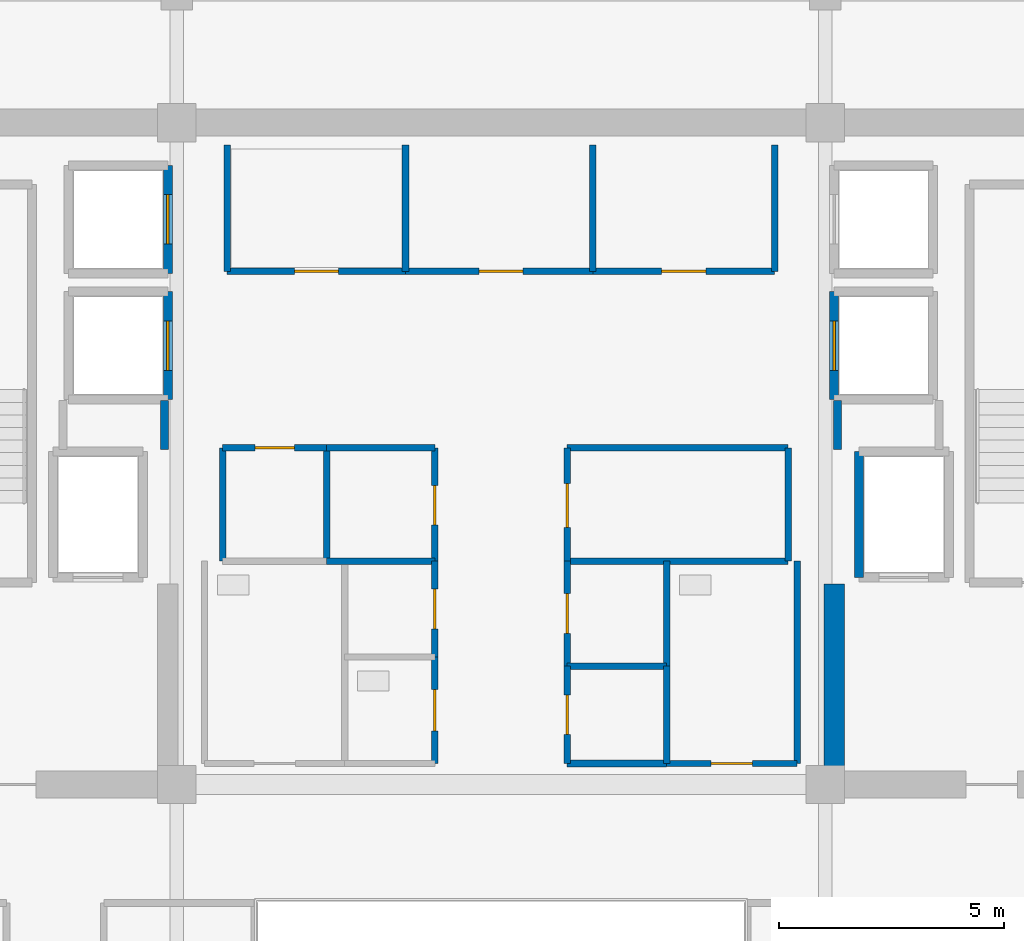
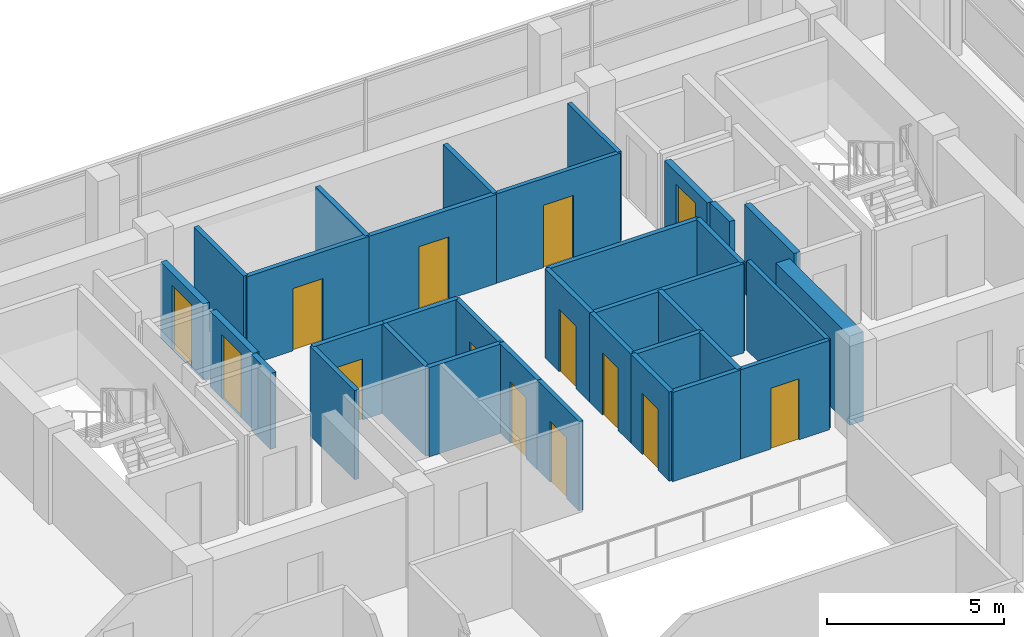
# One storey, part 17 of 22: 34 walls, 14 doors, 14 openings.
"""IFC4 building model written with IfcOpenShell, lengths in metres."""

from ifc_helpers import new_model, si_unit, direction, frame, frame_2d, origin, place, context, subcontext, project, spatial, rectangle, extrude, source, transform, mapped, material, layer, layer_set, type_object, element, fill, save


model = new_model("IFC4")

# Units and contexts
model_context = context("Model", 3, precision=1e-05, world=origin(), true_north=direction((0.0, 1.0)))
body_context = subcontext(model_context, "Body", "Model", "MODEL_VIEW")
ifc_project = project(units=[si_unit("LENGTHUNIT", "METRE"), si_unit("AREAUNIT", "SQUARE_METRE"), si_unit("VOLUMEUNIT", "CUBIC_METRE"), si_unit("PLANEANGLEUNIT", "RADIAN"), si_unit("MASSUNIT", "GRAM", prefix="KILO")], contexts=[model_context])

# Site, building, storey
site_placement = place(None, origin())
site = spatial("IfcSite", under=ifc_project, at=site_placement, CompositionType="ELEMENT")
building_placement = place(site_placement, origin())
building = spatial("IfcBuilding", under=site, at=building_placement, Name="Zarnakvel Exchange Tower", CompositionType="ELEMENT")
storey_placement = place(building_placement, frame((0.0, 0.0, 225.39990234375)))
storey = spatial("IfcBuildingStorey", under=building, at=storey_placement, Name="L63", CompositionType="ELEMENT", Elevation=225.39990234375)

# Wall
ifc_material_1 = material(Name="Concrete C50/60", Category="concrete")
ifc_layer_1 = layer(ifc_material_1, 0.449951171875)
ifc_layer_set_1 = layer_set([ifc_layer_1], Name="Concrete C50/60")
wall_type_1 = type_object("IfcWallType", Name="CW-C6", PredefinedType="SHEAR", material=ifc_layer_set_1)
wall_1_placement = place(storey_placement, frame((7.39990234375, -0.89990234375, 0.0), z_axis=(0.0, 0.0, 1.0), x_axis=(0.0, 1.0, 0.0)))
element("IfcWall", 1, at=wall_1_placement, inside=storey, type_object=wall_type_1, Name="L63 Rear Core Shear Wall IE (CW-C6)", PredefinedType="SHEAR", context=body_context, shape_type="SweptSolid", body=[
    extrude(rectangle(XDim=4.14990234375, YDim=0.449951171875, at=frame_2d((2.074951171875, 0.0))), origin(), (0.0, 0.0, 1.0), 3.0751953125),
])

# Wall, opening, door
ifc_material_2 = material(Name="Fire-Rated Gypsum Stud Partition", Category="gypsum")
ifc_layer_2 = layer(ifc_material_2, 0.14990234375)
ifc_layer_set_2 = layer_set([ifc_layer_2], Name="Fire-Rated Gypsum Stud Partition")
wall_type_2 = type_object("IfcWallType", Name="PT-01", PredefinedType="PARTITIONING", material=ifc_layer_set_2)
wall_2_placement = place(storey_placement, frame((-2.1201171875, 10.199951171875, 0.0), z_axis=(0.0, 0.0, 1.0), x_axis=(-1.0, 0.0, 0.0)))
wall_2 = element("IfcWall", 2, at=wall_2_placement, inside=storey, type_object=wall_type_2, Name="L63 Partition Wall PWALL-L63-011 (PT-01)", PredefinedType="PARTITIONING", context=body_context, shape_type="SweptSolid", body=[
    extrude(rectangle(XDim=3.9599609375, YDim=0.14990234375, at=frame_2d((1.97998046875, 0.0))), origin(), (0.0, 0.0, 1.0), 3.0751953125),
])
opening_1_placement = place(wall_2_placement, frame((1.489990234375, 0.0, 0.0)))
opening_1 = element("IfcOpeningElement", 3, at=opening_1_placement, cuts=wall_2, Name="Opening D-L63-05", PredefinedType="OPENING", context=body_context, shape_type="SweptSolid", body=[
    extrude(rectangle(XDim=0.97998046875, YDim=2.14990234375, at=frame_2d((0.489990234375, 1.074951171875))), frame((0.0, 0.0849609375, 0.0), z_axis=(0.0, -1.0, 0.0), x_axis=(1.0, 0.0, 0.0)), (0.0, 0.0, 1.0), 0.169921875),
])
ifc_material_3 = material(Name="Timber Acoustic Veneer", Category="wood")
door_type_1 = type_object("IfcDoorType", Name="DT-05", OperationType="NOTDEFINED", PredefinedType="DOOR", material=ifc_material_3)
shared_shape_1 = source(origin(), body_context, "Body", "SweptSolid", [
    extrude(rectangle(XDim=0.97998046875, YDim=2.14990234375, at=frame_2d((0.489990234375, 1.074951171875))), frame((0.0, 0.02490234375, 0.0), z_axis=(0.0, -1.0, 0.0), x_axis=(1.0, 0.0, 0.0)), (0.0, 0.0, 1.0), 0.050048828125),
])
door_1_placement = place(opening_1_placement, origin())
door_1 = element("IfcDoor", 4, at=door_1_placement, inside=storey, type_object=door_type_1, Name="L63 Clearing Records Office Door D-L63-05", OperationType="SINGLE_SWING_LEFT", OverallHeight=2.14990234375, OverallWidth=0.97998046875, PredefinedType="DOOR", context=body_context, shape_type="MappedRepresentation", body=[
    mapped(shared_shape_1, transform((0.0, 0.0, 0.0), x_axis=(1.0, 0.0, 0.0), y_axis=(0.0, 1.0, 0.0), z_axis=(0.0, 0.0, 1.0), scale=1.0)),
])
fill(opening_1, door_1)

# Walls
for number, where, z_axis, x_axis, name in (
    (5, (-6.080078125, 10.199951171875, 0.0), (0.0, 0.0, 1.0), (0.0, 1.0, 0.0), "L63 Partition Wall PWALL-L63-012 (PT-01)"),
    (6, (-2.1201171875, 13.0, 0.0), (0.0, 0.0, 1.0), (0.0, -1.0, 0.0), "L63 Partition Wall PWALL-L63-013 (PT-01)"),
):
    element("IfcWall", number, at=place(storey_placement, frame(where, z_axis=z_axis, x_axis=x_axis)), inside=storey, type_object=wall_type_2, Name=name, PredefinedType="PARTITIONING", context=body_context, shape_type="SweptSolid", body=[
        extrude(rectangle(XDim=2.800048828125, YDim=0.14990234375, at=frame_2d((1.39990234375, 0.0))), origin(), (0.0, 0.0, 1.0), 3.0751953125),
    ])

# Wall, opening, door
wall_3_placement = place(storey_placement, frame((2.0400390625, 10.199951171875, 0.0), z_axis=(0.0, 0.0, 1.0), x_axis=(-1.0, 0.0, 0.0)))
wall_3 = element("IfcWall", 7, at=wall_3_placement, inside=storey, type_object=wall_type_2, Name="L63 Partition Wall PWALL-L63-014 (PT-01)", PredefinedType="PARTITIONING", context=body_context, shape_type="SweptSolid", body=[
    extrude(rectangle(XDim=4.16015625, YDim=0.14990234375, at=frame_2d((2.080078125, 0.0))), origin(), (0.0, 0.0, 1.0), 3.0751953125),
])
opening_2_placement = place(wall_3_placement, frame((1.550048828125, 0.0, 0.0)))
opening_2 = element("IfcOpeningElement", 8, at=opening_2_placement, cuts=wall_3, Name="Opening D-L63-06", PredefinedType="OPENING", context=body_context, shape_type="SweptSolid", body=[
    extrude(rectangle(XDim=0.97998046875, YDim=2.14990234375, at=frame_2d((0.489990234375, 1.074951171875))), frame((0.0, 0.0849609375, 0.0), z_axis=(0.0, -1.0, 0.0), x_axis=(1.0, 0.0, 0.0)), (0.0, 0.0, 1.0), 0.169921875),
])
door_2_placement = place(opening_2_placement, origin())
door_2 = element("IfcDoor", 9, at=door_2_placement, inside=storey, type_object=door_type_1, Name="L63 Brokerage Filing Room Door D-L63-06", OperationType="SINGLE_SWING_RIGHT", OverallHeight=2.14990234375, OverallWidth=0.97998046875, PredefinedType="DOOR", context=body_context, shape_type="MappedRepresentation", body=[
    mapped(shared_shape_1, transform((0.0, 0.0, 0.0), x_axis=(1.0, 0.0, 0.0), y_axis=(0.0, 1.0, 0.0), z_axis=(0.0, 0.0, 1.0), scale=1.0)),
])
fill(opening_2, door_2)

# Wall
wall_4_placement = place(storey_placement, frame((2.0400390625, 13.0, 0.0), z_axis=(0.0, 0.0, 1.0), x_axis=(0.0, -1.0, 0.0)))
element("IfcWall", 10, at=wall_4_placement, inside=storey, type_object=wall_type_2, Name="L63 Partition Wall PWALL-L63-015 (PT-01)", PredefinedType="PARTITIONING", context=body_context, shape_type="SweptSolid", body=[
    extrude(rectangle(XDim=2.800048828125, YDim=0.14990234375, at=frame_2d((1.39990234375, 0.0))), origin(), (0.0, 0.0, 1.0), 3.0751953125),
])

# Wall, opening, door
wall_5_placement = place(storey_placement, frame((-6.179931640625, 6.280029296875, 0.0), z_axis=(0.0, 0.0, 1.0), x_axis=(1.0, 0.0, 0.0)))
wall_5 = element("IfcWall", 11, at=wall_5_placement, inside=storey, type_object=wall_type_2, Name="L63 Partition Wall PWALL-L63-019 (PT-01)", PredefinedType="PARTITIONING", context=body_context, shape_type="SweptSolid", body=[
    extrude(rectangle(XDim=2.309814453125, YDim=0.14990234375, at=frame_2d((1.15478515625, 0.0))), origin(), (0.0, 0.0, 1.0), 3.0751953125),
])
opening_3_placement = place(wall_5_placement, frame((0.719970703125, 0.0, 0.0)))
opening_3 = element("IfcOpeningElement", 12, at=opening_3_placement, cuts=wall_5, Name="Opening D-L63-08", PredefinedType="OPENING", context=body_context, shape_type="SweptSolid", body=[
    extrude(rectangle(XDim=0.8798828125, YDim=2.10009765625, at=frame_2d((0.43994140625, 1.050048828125))), frame((0.0, 0.0849609375, 0.0), z_axis=(0.0, -1.0, 0.0), x_axis=(1.0, 0.0, 0.0)), (0.0, 0.0, 1.0), 0.169921875),
])
ifc_material_4 = material(Name="Painted Galvanised Steel S355", Category="steel")
door_type_2 = type_object("IfcDoorType", Name="DT-08", OperationType="NOTDEFINED", PredefinedType="DOOR", material=ifc_material_4)
shared_shape_2 = source(origin(), body_context, "Body", "SweptSolid", [
    extrude(rectangle(XDim=0.8798828125, YDim=2.10009765625, at=frame_2d((0.43994140625, 1.050048828125))), frame((0.0, 0.02490234375, 0.0), z_axis=(0.0, -1.0, 0.0), x_axis=(1.0, 0.0, 0.0)), (0.0, 0.0, 1.0), 0.050048828125),
])
door_3_placement = place(opening_3_placement, origin())
door_3 = element("IfcDoor", 13, at=door_3_placement, inside=storey, type_object=door_type_2, Name="L63 Audit Filing Store Door D-L63-08", OperationType="SINGLE_SWING_RIGHT", OverallHeight=2.10009765625, OverallWidth=0.8798828125, PredefinedType="DOOR", context=body_context, shape_type="MappedRepresentation", body=[
    mapped(shared_shape_2, transform((0.0, 0.0, 0.0), x_axis=(1.0, 0.0, 0.0), y_axis=(0.0, 1.0, 0.0), z_axis=(0.0, 0.0, 1.0), scale=1.0)),
])
fill(opening_3, door_3)

# Walls
for number, where, z_axis, x_axis, name in (
    (14, (-6.179931640625, 3.760009765625, 0.0), (0.0, 0.0, 1.0), (0.0, 1.0, 0.0), "L63 Partition Wall PWALL-L63-020 (PT-01)"),
    (15, (-3.8701171875, 6.280029296875, 0.0), (0.0, 0.0, 1.0), (0.0, -1.0, 0.0), "L63 Partition Wall PWALL-L63-021 (PT-01)"),
):
    element("IfcWall", number, at=place(storey_placement, frame(where, z_axis=z_axis, x_axis=x_axis)), inside=storey, type_object=wall_type_2, Name=name, PredefinedType="PARTITIONING", context=body_context, shape_type="SweptSolid", body=[
        extrude(rectangle(XDim=2.52001953125, YDim=0.14990234375, at=frame_2d((1.260009765625, 0.0))), origin(), (0.0, 0.0, 1.0), 3.0751953125),
    ])
for number, where, z_axis, x_axis, name in (
    (16, (-1.469970703125, 3.760009765625, 0.0), (0.0, 0.0, 1.0), (-1.0, 0.0, 0.0), "L63 Partition Wall PWALL-L63-022 (PT-01)"),
    (17, (-3.8701171875, 6.280029296875, 0.0), (0.0, 0.0, 1.0), (1.0, 0.0, 0.0), "L63 Partition Wall PWALL-L63-023 (PT-01)"),
):
    element("IfcWall", number, at=place(storey_placement, frame(where, z_axis=z_axis, x_axis=x_axis)), inside=storey, type_object=wall_type_2, Name=name, PredefinedType="PARTITIONING", context=body_context, shape_type="SweptSolid", body=[
        extrude(rectangle(XDim=2.400146484375, YDim=0.14990234375, at=frame_2d((1.2001953125, 0.0))), origin(), (0.0, 0.0, 1.0), 3.0751953125),
    ])

# Wall, opening, door
wall_6_placement = place(storey_placement, frame((-1.469970703125, 6.280029296875, 0.0), z_axis=(0.0, 0.0, 1.0), x_axis=(0.0, -1.0, 0.0)))
wall_6 = element("IfcWall", 18, at=wall_6_placement, inside=storey, type_object=wall_type_2, Name="L63 Partition Wall PWALL-L63-024 (PT-01)", PredefinedType="PARTITIONING", context=body_context, shape_type="SweptSolid", body=[
    extrude(rectangle(XDim=2.52001953125, YDim=0.14990234375, at=frame_2d((1.260009765625, 0.0))), origin(), (0.0, 0.0, 1.0), 3.0751953125),
])
opening_4_placement = place(wall_6_placement, frame((0.840087890625, 0.0, 0.0)))
opening_4 = element("IfcOpeningElement", 19, at=opening_4_placement, cuts=wall_6, Name="Opening D-L63-09", PredefinedType="OPENING", context=body_context, shape_type="SweptSolid", body=[
    extrude(rectangle(XDim=0.8798828125, YDim=2.10009765625, at=frame_2d((0.43994140625, 1.050048828125))), frame((0.0, 0.0849609375, 0.0), z_axis=(0.0, -1.0, 0.0), x_axis=(1.0, 0.0, 0.0)), (0.0, 0.0, 1.0), 0.169921875),
])
door_4_placement = place(opening_4_placement, origin())
door_4 = element("IfcDoor", 20, at=door_4_placement, inside=storey, type_object=door_type_2, Name="L63 Core Records Store Door D-L63-09", OperationType="SINGLE_SWING_LEFT", OverallHeight=2.10009765625, OverallWidth=0.8798828125, PredefinedType="DOOR", context=body_context, shape_type="MappedRepresentation", body=[
    mapped(shared_shape_2, transform((0.0, 0.0, 0.0), x_axis=(1.0, 0.0, 0.0), y_axis=(0.0, 1.0, 0.0), z_axis=(0.0, 0.0, 1.0), scale=1.0)),
])
fill(opening_4, door_4)

# Walls
for number, where, z_axis, x_axis, name in (
    (21, (6.3798828125, 3.760009765625, 0.0), (0.0, 0.0, 1.0), (-1.0, 0.0, 0.0), "L63 Partition Wall PWALL-L63-025 (PT-01)"),
    (22, (1.469970703125, 6.280029296875, 0.0), (0.0, 0.0, 1.0), (1.0, 0.0, 0.0), "L63 Partition Wall PWALL-L63-026 (PT-01)"),
):
    element("IfcWall", number, at=place(storey_placement, frame(where, z_axis=z_axis, x_axis=x_axis)), inside=storey, type_object=wall_type_2, Name=name, PredefinedType="PARTITIONING", context=body_context, shape_type="SweptSolid", body=[
        extrude(rectangle(XDim=4.909912109375, YDim=0.14990234375, at=frame_2d((2.455078125, 0.0))), origin(), (0.0, 0.0, 1.0), 3.0751953125),
    ])

# Wall, opening, door
wall_7_placement = place(storey_placement, frame((1.469970703125, 3.760009765625, 0.0), z_axis=(0.0, 0.0, 1.0), x_axis=(0.0, 1.0, 0.0)))
wall_7 = element("IfcWall", 23, at=wall_7_placement, inside=storey, type_object=wall_type_2, Name="L63 Partition Wall PWALL-L63-027 (PT-01)", PredefinedType="PARTITIONING", context=body_context, shape_type="SweptSolid", body=[
    extrude(rectangle(XDim=2.52001953125, YDim=0.14990234375, at=frame_2d((1.260009765625, 0.0))), origin(), (0.0, 0.0, 1.0), 3.0751953125),
])
opening_5_placement = place(wall_7_placement, frame((0.75, 0.0, 0.0)))
opening_5 = element("IfcOpeningElement", 24, at=opening_5_placement, cuts=wall_7, Name="Opening D-L63-10", PredefinedType="OPENING", context=body_context, shape_type="SweptSolid", body=[
    extrude(rectangle(XDim=0.97998046875, YDim=2.14990234375, at=frame_2d((0.489990234375, 1.074951171875))), frame((0.0, 0.0849609375, 0.0), z_axis=(0.0, -1.0, 0.0), x_axis=(1.0, 0.0, 0.0)), (0.0, 0.0, 1.0), 0.169921875),
])
door_5_placement = place(opening_5_placement, origin())
door_5 = element("IfcDoor", 25, at=door_5_placement, inside=storey, type_object=door_type_1, Name="L63 Telemetry Server Suite Door D-L63-10", OperationType="SINGLE_SWING_RIGHT", OverallHeight=2.14990234375, OverallWidth=0.97998046875, PredefinedType="DOOR", context=body_context, shape_type="MappedRepresentation", body=[
    mapped(shared_shape_1, transform((0.0, 0.0, 0.0), x_axis=(1.0, 0.0, 0.0), y_axis=(0.0, 1.0, 0.0), z_axis=(0.0, 0.0, 1.0), scale=1.0)),
])
fill(opening_5, door_5)

# Wall
wall_8_placement = place(storey_placement, frame((6.3798828125, 6.280029296875, 0.0), z_axis=(0.0, 0.0, 1.0), x_axis=(0.0, -1.0, 0.0)))
element("IfcWall", 26, at=wall_8_placement, inside=storey, type_object=wall_type_2, Name="L63 Partition Wall PWALL-L63-028 (PT-01)", PredefinedType="PARTITIONING", context=body_context, shape_type="SweptSolid", body=[
    extrude(rectangle(XDim=2.52001953125, YDim=0.14990234375, at=frame_2d((1.260009765625, 0.0))), origin(), (0.0, 0.0, 1.0), 3.0751953125),
])

# Wall, opening, door
wall_9_placement = place(storey_placement, frame((-1.469970703125, 3.760009765625, 0.0), z_axis=(0.0, 0.0, 1.0), x_axis=(0.0, -1.0, 0.0)))
wall_9 = element("IfcWall", 27, at=wall_9_placement, inside=storey, type_object=wall_type_2, Name="L63 Partition Wall PWALL-L63-035 (PT-01)", PredefinedType="PARTITIONING", context=body_context, shape_type="SweptSolid", body=[
    extrude(rectangle(XDim=2.130126953125, YDim=0.14990234375, at=frame_2d((1.06494140625, 0.0))), origin(), (0.0, 0.0, 1.0), 3.0751953125),
])
opening_6_placement = place(wall_9_placement, frame((0.6201171875, 0.0, 0.0)))
opening_6 = element("IfcOpeningElement", 28, at=opening_6_placement, cuts=wall_9, Name="Opening D-L63-13", PredefinedType="OPENING", context=body_context, shape_type="SweptSolid", body=[
    extrude(rectangle(XDim=0.8798828125, YDim=2.10009765625, at=frame_2d((0.43994140625, 1.050048828125))), frame((0.0, 0.0849609375, 0.0), z_axis=(0.0, -1.0, 0.0), x_axis=(1.0, 0.0, 0.0)), (0.0, 0.0, 1.0), 0.169921875),
])
door_6_placement = place(opening_6_placement, origin())
door_6 = element("IfcDoor", 29, at=door_6_placement, inside=storey, type_object=door_type_2, Name="L63 Core Comms Room Door D-L63-13", OperationType="SINGLE_SWING_LEFT", OverallHeight=2.10009765625, OverallWidth=0.8798828125, PredefinedType="DOOR", context=body_context, shape_type="MappedRepresentation", body=[
    mapped(shared_shape_2, transform((0.0, 0.0, 0.0), x_axis=(1.0, 0.0, 0.0), y_axis=(0.0, 1.0, 0.0), z_axis=(0.0, 0.0, 1.0), scale=1.0)),
])
fill(opening_6, door_6)

# Walls
for number, where, z_axis, x_axis, name in (
    (30, (3.679931640625, -0.72998046875, 0.0), (0.0, 0.0, 1.0), (-1.0, 0.0, 0.0), "L63 Partition Wall PWALL-L63-036 (PT-01)"),
    (31, (1.469970703125, 1.429931640625, 0.0), (0.0, 0.0, 1.0), (1.0, 0.0, 0.0), "L63 Partition Wall PWALL-L63-037 (PT-01)"),
):
    element("IfcWall", number, at=place(storey_placement, frame(where, z_axis=z_axis, x_axis=x_axis)), inside=storey, type_object=wall_type_2, Name=name, PredefinedType="PARTITIONING", context=body_context, shape_type="SweptSolid", body=[
        extrude(rectangle(XDim=2.2099609375, YDim=0.14990234375, at=frame_2d((1.10498046875, 0.0))), origin(), (0.0, 0.0, 1.0), 3.0751953125),
    ])

# Wall, opening, door
wall_10_placement = place(storey_placement, frame((1.469970703125, -0.72998046875, 0.0), z_axis=(0.0, 0.0, 1.0), x_axis=(0.0, 1.0, 0.0)))
wall_10 = element("IfcWall", 32, at=wall_10_placement, inside=storey, type_object=wall_type_2, Name="L63 Partition Wall PWALL-L63-038 (PT-01)", PredefinedType="PARTITIONING", context=body_context, shape_type="SweptSolid", body=[
    extrude(rectangle(XDim=2.159912109375, YDim=0.14990234375, at=frame_2d((1.080078125, 0.0))), origin(), (0.0, 0.0, 1.0), 3.0751953125),
])
opening_7_placement = place(wall_10_placement, frame((0.639892578125, 0.0, 0.0)))
opening_7 = element("IfcOpeningElement", 33, at=opening_7_placement, cuts=wall_10, Name="Opening D-L63-14", PredefinedType="OPENING", context=body_context, shape_type="SweptSolid", body=[
    extrude(rectangle(XDim=0.8798828125, YDim=2.10009765625, at=frame_2d((0.43994140625, 1.050048828125))), frame((0.0, 0.0849609375, 0.0), z_axis=(0.0, -1.0, 0.0), x_axis=(1.0, 0.0, 0.0)), (0.0, 0.0, 1.0), 0.169921875),
])
door_7_placement = place(opening_7_placement, origin())
door_7 = element("IfcDoor", 34, at=door_7_placement, inside=storey, type_object=door_type_2, Name="L63 Janitor Store Door D-L63-14", OperationType="SINGLE_SWING_RIGHT", OverallHeight=2.10009765625, OverallWidth=0.8798828125, PredefinedType="DOOR", context=body_context, shape_type="MappedRepresentation", body=[
    mapped(shared_shape_2, transform((0.0, 0.0, 0.0), x_axis=(1.0, 0.0, 0.0), y_axis=(0.0, 1.0, 0.0), z_axis=(0.0, 0.0, 1.0), scale=1.0)),
])
fill(opening_7, door_7)

# Wall
wall_11_placement = place(storey_placement, frame((3.679931640625, 1.429931640625, 0.0), z_axis=(0.0, 0.0, 1.0), x_axis=(0.0, -1.0, 0.0)))
element("IfcWall", 35, at=wall_11_placement, inside=storey, type_object=wall_type_2, Name="L63 Partition Wall PWALL-L63-039 (PT-01)", PredefinedType="PARTITIONING", context=body_context, shape_type="SweptSolid", body=[
    extrude(rectangle(XDim=2.159912109375, YDim=0.14990234375, at=frame_2d((1.080078125, 0.0))), origin(), (0.0, 0.0, 1.0), 3.0751953125),
])

# Wall, opening, door
wall_12_placement = place(storey_placement, frame((1.469970703125, 1.429931640625, 0.0), z_axis=(0.0, 0.0, 1.0), x_axis=(0.0, 1.0, 0.0)))
wall_12 = element("IfcWall", 36, at=wall_12_placement, inside=storey, type_object=wall_type_2, Name="L63 Partition Wall PWALL-L63-040 (PT-01)", PredefinedType="PARTITIONING", context=body_context, shape_type="SweptSolid", body=[
    extrude(rectangle(XDim=2.330078125, YDim=0.14990234375, at=frame_2d((1.1650390625, 0.0))), origin(), (0.0, 0.0, 1.0), 3.0751953125),
])
opening_8_placement = place(wall_12_placement, frame((0.72998046875, 0.0, 0.0)))
opening_8 = element("IfcOpeningElement", 37, at=opening_8_placement, cuts=wall_12, Name="Opening D-L63-15", PredefinedType="OPENING", context=body_context, shape_type="SweptSolid", body=[
    extrude(rectangle(XDim=0.8798828125, YDim=2.14990234375, at=frame_2d((0.43994140625, 1.074951171875))), frame((0.0, 0.0849609375, 0.0), z_axis=(0.0, -1.0, 0.0), x_axis=(1.0, 0.0, 0.0)), (0.0, 0.0, 1.0), 0.169921875),
])
shared_shape_3 = source(origin(), body_context, "Body", "SweptSolid", [
    extrude(rectangle(XDim=0.8798828125, YDim=2.14990234375, at=frame_2d((0.43994140625, 1.074951171875))), frame((0.0, 0.02490234375, 0.0), z_axis=(0.0, -1.0, 0.0), x_axis=(1.0, 0.0, 0.0)), (0.0, 0.0, 1.0), 0.050048828125),
])
door_8_placement = place(opening_8_placement, origin())
door_8 = element("IfcDoor", 38, at=door_8_placement, inside=storey, type_object=door_type_1, Name="L63 Stationery Store Door D-L63-15", OperationType="SINGLE_SWING_LEFT", OverallHeight=2.14990234375, OverallWidth=0.8798828125, PredefinedType="DOOR", context=body_context, shape_type="MappedRepresentation", body=[
    mapped(shared_shape_3, transform((0.0, 0.0, 0.0), x_axis=(1.0, 0.0, 0.0), y_axis=(0.0, 1.0, 0.0), z_axis=(0.0, 0.0, 1.0), scale=1.0)),
])
fill(opening_8, door_8)

# Walls
wall_13_placement = place(storey_placement, frame((3.679931640625, 3.760009765625, 0.0), z_axis=(0.0, 0.0, 1.0), x_axis=(0.0, -1.0, 0.0)))
element("IfcWall", 39, at=wall_13_placement, inside=storey, type_object=wall_type_2, Name="L63 Partition Wall PWALL-L63-041 (PT-01)", PredefinedType="PARTITIONING", context=body_context, shape_type="SweptSolid", body=[
    extrude(rectangle(XDim=2.330078125, YDim=0.14990234375, at=frame_2d((1.1650390625, 0.0))), origin(), (0.0, 0.0, 1.0), 3.0751953125),
])
ifc_layer_3 = layer(ifc_material_2, 0.179931640625)
ifc_layer_set_3 = layer_set([ifc_layer_3], Name="Fire-Rated Gypsum Stud Partition")
wall_type_3 = type_object("IfcWallType", Name="PT-02", PredefinedType="PARTITIONING", material=ifc_layer_set_3)
for number, where, z_axis, x_axis, name in (
    (40, (-7.469970703125, 7.330078125, 0.0), (0.0, 0.0, 1.0), (0.0, -1.0, 0.0), "L63 Partition Wall PWALL-L63-008 (PT-02)"),
    (41, (7.469970703125, 6.239990234375, 0.0), (0.0, 0.0, 1.0), (0.0, 1.0, 0.0), "L63 Partition Wall PWALL-L63-009 (PT-02)"),
):
    element("IfcWall", number, at=place(storey_placement, frame(where, z_axis=z_axis, x_axis=x_axis)), inside=storey, type_object=wall_type_3, Name=name, PredefinedType="PARTITIONING", context=body_context, shape_type="SweptSolid", body=[
        extrude(rectangle(XDim=1.090087890625, YDim=0.179931640625, at=frame_2d((0.544921875, 0.0))), origin(), (0.0, 0.0, 1.0), 2.614990234375),
    ])

# Wall, opening, door
ifc_material_5 = material(Name="Moisture-Resistant Tile-Faced Partition", Category="gypsum")
ifc_layer_4 = layer(ifc_material_5, 0.135009765625)
ifc_layer_set_4 = layer_set([ifc_layer_4], Name="Moisture-Resistant Tile-Faced Partition")
wall_type_4 = type_object("IfcWallType", Name="PT-03", PredefinedType="PARTITIONING", material=ifc_layer_set_4)
wall_14_placement = place(storey_placement, frame((6.080078125, 10.199951171875, 0.0), z_axis=(0.0, 0.0, 1.0), x_axis=(-1.0, 0.0, 0.0)))
wall_14 = element("IfcWall", 42, at=wall_14_placement, inside=storey, type_object=wall_type_4, Name="L63 Partition Wall PWALL-L63-016 (PT-03)", PredefinedType="PARTITIONING", context=body_context, shape_type="SweptSolid", body=[
    extrude(rectangle(XDim=4.0400390625, YDim=0.135009765625, at=frame_2d((2.02001953125, 0.0))), origin(), (0.0, 0.0, 1.0), 3.0751953125),
])
opening_9_placement = place(wall_14_placement, frame((1.530029296875, 0.0, 0.0)))
opening_9 = element("IfcOpeningElement", 43, at=opening_9_placement, cuts=wall_14, Name="Opening D-L63-07", PredefinedType="OPENING", context=body_context, shape_type="SweptSolid", body=[
    extrude(rectangle(XDim=0.97998046875, YDim=2.14990234375, at=frame_2d((0.489990234375, 1.074951171875))), frame((0.0, 0.077392578125, 0.0), z_axis=(0.0, -1.0, 0.0), x_axis=(1.0, 0.0, 0.0)), (0.0, 0.0, 1.0), 0.155029296875),
])
door_9_placement = place(opening_9_placement, origin())
door_9 = element("IfcDoor", 44, at=door_9_placement, inside=storey, type_object=door_type_1, Name="L63 Executive Tea Pantry Door D-L63-07", OperationType="SINGLE_SWING_LEFT", OverallHeight=2.14990234375, OverallWidth=0.97998046875, PredefinedType="DOOR", context=body_context, shape_type="MappedRepresentation", body=[
    mapped(shared_shape_1, transform((0.0, 0.0, 0.0), x_axis=(1.0, 0.0, 0.0), y_axis=(0.0, 1.0, 0.0), z_axis=(0.0, 0.0, 1.0), scale=1.0)),
])
fill(opening_9, door_9)

# Wall
wall_15_placement = place(storey_placement, frame((6.080078125, 13.0, 0.0), z_axis=(0.0, 0.0, 1.0), x_axis=(0.0, -1.0, 0.0)))
element("IfcWall", 45, at=wall_15_placement, inside=storey, type_object=wall_type_4, Name="L63 Partition Wall PWALL-L63-017 (PT-03)", PredefinedType="PARTITIONING", context=body_context, shape_type="SweptSolid", body=[
    extrude(rectangle(XDim=2.800048828125, YDim=0.135009765625, at=frame_2d((1.39990234375, 0.0))), origin(), (0.0, 0.0, 1.0), 3.0751953125),
])

# Wall, opening, door
wall_16_placement = place(storey_placement, frame((-1.469970703125, 1.6298828125, 0.0), z_axis=(0.0, 0.0, 1.0), x_axis=(0.0, -1.0, 0.0)))
wall_16 = element("IfcWall", 46, at=wall_16_placement, inside=storey, type_object=wall_type_4, Name="L63 Partition Wall PWALL-L63-034 (PT-03)", PredefinedType="PARTITIONING", context=body_context, shape_type="SweptSolid", body=[
    extrude(rectangle(XDim=2.35986328125, YDim=0.135009765625, at=frame_2d((1.179931640625, 0.0))), origin(), (0.0, 0.0, 1.0), 3.0751953125),
])
opening_10_placement = place(wall_16_placement, frame((0.719970703125, 0.0, 0.0)))
opening_10 = element("IfcOpeningElement", 47, at=opening_10_placement, cuts=wall_16, Name="Opening D-L63-12", PredefinedType="OPENING", context=body_context, shape_type="SweptSolid", body=[
    extrude(rectangle(XDim=0.919921875, YDim=2.10009765625, at=frame_2d((0.4599609375, 1.050048828125))), frame((0.0, 0.077392578125, 0.0), z_axis=(0.0, -1.0, 0.0), x_axis=(1.0, 0.0, 0.0)), (0.0, 0.0, 1.0), 0.155029296875),
])
ifc_material_6 = material(Name="Moisture-Resistant Laminate Timber", Category="wood")
door_type_3 = type_object("IfcDoorType", Name="DT-07", OperationType="NOTDEFINED", PredefinedType="DOOR", material=ifc_material_6)
shared_shape_4 = source(origin(), body_context, "Body", "SweptSolid", [
    extrude(rectangle(XDim=0.919921875, YDim=2.10009765625, at=frame_2d((0.4599609375, 1.050048828125))), frame((0.0, 0.02490234375, 0.0), z_axis=(0.0, -1.0, 0.0), x_axis=(1.0, 0.0, 0.0)), (0.0, 0.0, 1.0), 0.050048828125),
])
door_10_placement = place(opening_10_placement, origin())
door_10 = element("IfcDoor", 48, at=door_10_placement, inside=storey, type_object=door_type_3, Name="L63 Accessible Toilet Door D-L63-12", OperationType="SINGLE_SWING_RIGHT", OverallHeight=2.10009765625, OverallWidth=0.919921875, PredefinedType="DOOR", context=body_context, shape_type="MappedRepresentation", body=[
    mapped(shared_shape_4, transform((0.0, 0.0, 0.0), x_axis=(1.0, 0.0, 0.0), y_axis=(0.0, 1.0, 0.0), z_axis=(0.0, 0.0, 1.0), scale=1.0)),
])
fill(opening_10, door_10)

wall_17_placement = place(storey_placement, frame((6.580078125, -0.72998046875, 0.0), z_axis=(0.0, 0.0, 1.0), x_axis=(-1.0, 0.0, 0.0)))
wall_17 = element("IfcWall", 49, at=wall_17_placement, inside=storey, type_object=wall_type_4, Name="L63 Partition Wall PWALL-L63-042 (PT-03)", PredefinedType="PARTITIONING", context=body_context, shape_type="SweptSolid", body=[
    extrude(rectangle(XDim=2.900146484375, YDim=0.135009765625, at=frame_2d((1.4501953125, 0.0))), origin(), (0.0, 0.0, 1.0), 3.0751953125),
])
opening_11_placement = place(wall_17_placement, frame((0.989990234375, 0.0, 0.0)))
opening_11 = element("IfcOpeningElement", 50, at=opening_11_placement, cuts=wall_17, Name="Opening D-L63-16", PredefinedType="OPENING", context=body_context, shape_type="SweptSolid", body=[
    extrude(rectangle(XDim=0.919921875, YDim=2.10009765625, at=frame_2d((0.4599609375, 1.050048828125))), frame((0.0, 0.077392578125, 0.0), z_axis=(0.0, -1.0, 0.0), x_axis=(1.0, 0.0, 0.0)), (0.0, 0.0, 1.0), 0.155029296875),
])
door_11_placement = place(opening_11_placement, origin())
door_11 = element("IfcDoor", 51, at=door_11_placement, inside=storey, type_object=door_type_3, Name="L63 Female Toilet Door D-L63-16", OperationType="SINGLE_SWING_RIGHT", OverallHeight=2.10009765625, OverallWidth=0.919921875, PredefinedType="DOOR", context=body_context, shape_type="MappedRepresentation", body=[
    mapped(shared_shape_4, transform((0.0, 0.0, 0.0), x_axis=(1.0, 0.0, 0.0), y_axis=(0.0, 1.0, 0.0), z_axis=(0.0, 0.0, 1.0), scale=1.0)),
])
fill(opening_11, door_11)

# Walls
wall_18_placement = place(storey_placement, frame((6.580078125, 3.760009765625, 0.0), z_axis=(0.0, 0.0, 1.0), x_axis=(0.0, -1.0, 0.0)))
element("IfcWall", 52, at=wall_18_placement, inside=storey, type_object=wall_type_4, Name="L63 Partition Wall PWALL-L63-043 (PT-03)", PredefinedType="PARTITIONING", context=body_context, shape_type="SweptSolid", body=[
    extrude(rectangle(XDim=4.489990234375, YDim=0.135009765625, at=frame_2d((2.2451171875, 0.0))), origin(), (0.0, 0.0, 1.0), 3.0751953125),
])
ifc_material_7 = material(Name="Concrete C40/50", Category="concrete")
ifc_layer_5 = layer(ifc_material_7, 0.199951171875)
ifc_layer_set_5 = layer_set([ifc_layer_5], Name="Concrete C40/50")
wall_type_5 = type_object("IfcWallType", Name="SW-01", PredefinedType="SOLIDWALL", material=ifc_layer_set_5)
wall_19_placement = place(storey_placement, frame((7.949951171875, 3.39990234375, 0.0), z_axis=(0.0, 0.0, 1.0), x_axis=(0.0, 1.0, 0.0)))
element("IfcWall", 53, at=wall_19_placement, inside=storey, type_object=wall_type_5, Name="L63 FL-02 Hoistway Wall West", PredefinedType="SOLIDWALL", context=body_context, shape_type="SweptSolid", body=[
    extrude(rectangle(XDim=2.800048828125, YDim=0.199951171875, at=frame_2d((1.39990234375, 0.0))), origin(), (0.0, 0.0, 1.0), 3.0751953125),
])

# Wall, opening, door
wall_20_placement = place(storey_placement, frame((-7.39990234375, 9.75, 0.0), z_axis=(0.0, 0.0, 1.0), x_axis=(0.0, -1.0, 0.0)))
wall_20 = element("IfcWall", 54, at=wall_20_placement, inside=storey, type_object=wall_type_5, Name="L63 PL-09 Hoistway Wall East", PredefinedType="SOLIDWALL", context=body_context, shape_type="SweptSolid", body=[
    extrude(rectangle(XDim=2.39990234375, YDim=0.199951171875, at=frame_2d((1.199951171875, 0.0))), origin(), (0.0, 0.0, 1.0), 2.614990234375),
])
opening_12_placement = place(wall_20_placement, frame((0.64990234375, 0.0, 0.0)))
opening_12 = element("IfcOpeningElement", 55, at=opening_12_placement, cuts=wall_20, Name="Opening LD-PL-09-L63", PredefinedType="OPENING", context=body_context, shape_type="SweptSolid", body=[
    extrude(rectangle(XDim=1.10009765625, YDim=2.199951171875, at=frame_2d((0.550048828125, 1.10009765625))), frame((0.0, 0.10986328125, 0.0), z_axis=(0.0, -1.0, 0.0), x_axis=(1.0, 0.0, 0.0)), (0.0, 0.0, 1.0), 0.219970703125),
])
ifc_material_8 = material(Name="Architectural Bronze Anodised Aluminium", Category="aluminium")
door_type_4 = type_object("IfcDoorType", Name="LDT-02", OperationType="NOTDEFINED", PredefinedType="DOOR", material=ifc_material_8)
shared_shape_5 = source(origin(), body_context, "Body", "SweptSolid", [
    extrude(rectangle(XDim=1.10009765625, YDim=2.199951171875, at=frame_2d((0.550048828125, 1.10009765625))), frame((0.0, 0.02490234375, 0.0), z_axis=(0.0, -1.0, 0.0), x_axis=(1.0, 0.0, 0.0)), (0.0, 0.0, 1.0), 0.050048828125),
])
door_12_placement = place(opening_12_placement, origin())
door_12 = element("IfcDoor", 56, at=door_12_placement, inside=storey, type_object=door_type_4, Name="L63 PL-09 Lift Landing Door LD-PL-09-L63", OperationType="DOUBLE_DOOR_SLIDING", OverallHeight=2.199951171875, OverallWidth=1.10009765625, PredefinedType="DOOR", context=body_context, shape_type="MappedRepresentation", body=[
    mapped(shared_shape_5, transform((0.0, 0.0, 0.0), x_axis=(1.0, 0.0, 0.0), y_axis=(0.0, 1.0, 0.0), z_axis=(0.0, 0.0, 1.0), scale=1.0)),
])
fill(opening_12, door_12)

wall_21_placement = place(storey_placement, frame((-7.39990234375, 12.550048828125, 0.0), z_axis=(0.0, 0.0, 1.0), x_axis=(0.0, -1.0, 0.0)))
wall_21 = element("IfcWall", 57, at=wall_21_placement, inside=storey, type_object=wall_type_5, Name="L63 PL-10 Hoistway Wall East", PredefinedType="SOLIDWALL", context=body_context, shape_type="SweptSolid", body=[
    extrude(rectangle(XDim=2.400146484375, YDim=0.199951171875, at=frame_2d((1.2001953125, 0.0))), origin(), (0.0, 0.0, 1.0), 2.614990234375),
])
opening_13_placement = place(wall_21_placement, frame((0.64990234375, 0.0, 0.0)))
opening_13 = element("IfcOpeningElement", 58, at=opening_13_placement, cuts=wall_21, Name="Opening LD-PL-10-L63", PredefinedType="OPENING", context=body_context, shape_type="SweptSolid", body=[
    extrude(rectangle(XDim=1.10009765625, YDim=2.199951171875, at=frame_2d((0.550048828125, 1.10009765625))), frame((0.0, 0.10986328125, 0.0), z_axis=(0.0, -1.0, 0.0), x_axis=(1.0, 0.0, 0.0)), (0.0, 0.0, 1.0), 0.219970703125),
])
door_13_placement = place(opening_13_placement, origin())
door_13 = element("IfcDoor", 59, at=door_13_placement, inside=storey, type_object=door_type_4, Name="L63 PL-10 Lift Landing Door LD-PL-10-L63", OperationType="DOUBLE_DOOR_SLIDING", OverallHeight=2.199951171875, OverallWidth=1.10009765625, PredefinedType="DOOR", context=body_context, shape_type="MappedRepresentation", body=[
    mapped(shared_shape_5, transform((0.0, 0.0, 0.0), x_axis=(1.0, 0.0, 0.0), y_axis=(0.0, 1.0, 0.0), z_axis=(0.0, 0.0, 1.0), scale=1.0)),
])
fill(opening_13, door_13)

wall_22_placement = place(storey_placement, frame((7.39990234375, 7.35009765625, 0.0), z_axis=(0.0, 0.0, 1.0), x_axis=(0.0, 1.0, 0.0)))
wall_22 = element("IfcWall", 60, at=wall_22_placement, inside=storey, type_object=wall_type_5, Name="L63 PL-11 Hoistway Wall West", PredefinedType="SOLIDWALL", context=body_context, shape_type="SweptSolid", body=[
    extrude(rectangle(XDim=2.39990234375, YDim=0.199951171875, at=frame_2d((1.199951171875, 0.0))), origin(), (0.0, 0.0, 1.0), 2.614990234375),
])
opening_14_placement = place(wall_22_placement, frame((0.64990234375, 0.0, 0.0)))
opening_14 = element("IfcOpeningElement", 61, at=opening_14_placement, cuts=wall_22, Name="Opening LD-PL-11-L63", PredefinedType="OPENING", context=body_context, shape_type="SweptSolid", body=[
    extrude(rectangle(XDim=1.10009765625, YDim=2.199951171875, at=frame_2d((0.550048828125, 1.10009765625))), frame((0.0, 0.10986328125, 0.0), z_axis=(0.0, -1.0, 0.0), x_axis=(1.0, 0.0, 0.0)), (0.0, 0.0, 1.0), 0.219970703125),
])
door_14_placement = place(opening_14_placement, origin())
door_14 = element("IfcDoor", 62, at=door_14_placement, inside=storey, type_object=door_type_4, Name="L63 PL-11 Lift Landing Door LD-PL-11-L63", OperationType="DOUBLE_DOOR_SLIDING", OverallHeight=2.199951171875, OverallWidth=1.10009765625, PredefinedType="DOOR", context=body_context, shape_type="MappedRepresentation", body=[
    mapped(shared_shape_5, transform((0.0, 0.0, 0.0), x_axis=(1.0, 0.0, 0.0), y_axis=(0.0, 1.0, 0.0), z_axis=(0.0, 0.0, 1.0), scale=1.0)),
])
fill(opening_14, door_14)

save(model, "model.ifc")
